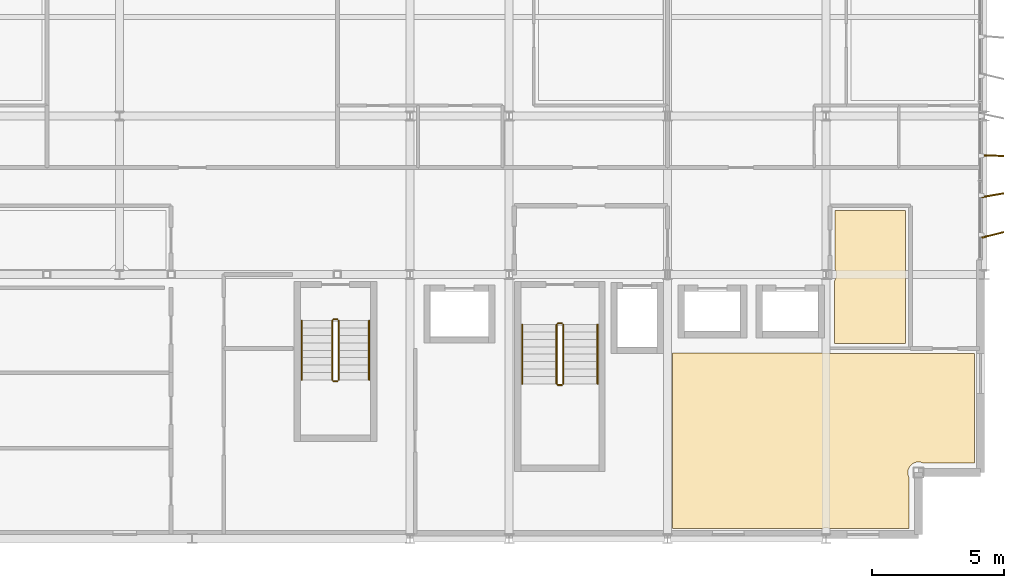
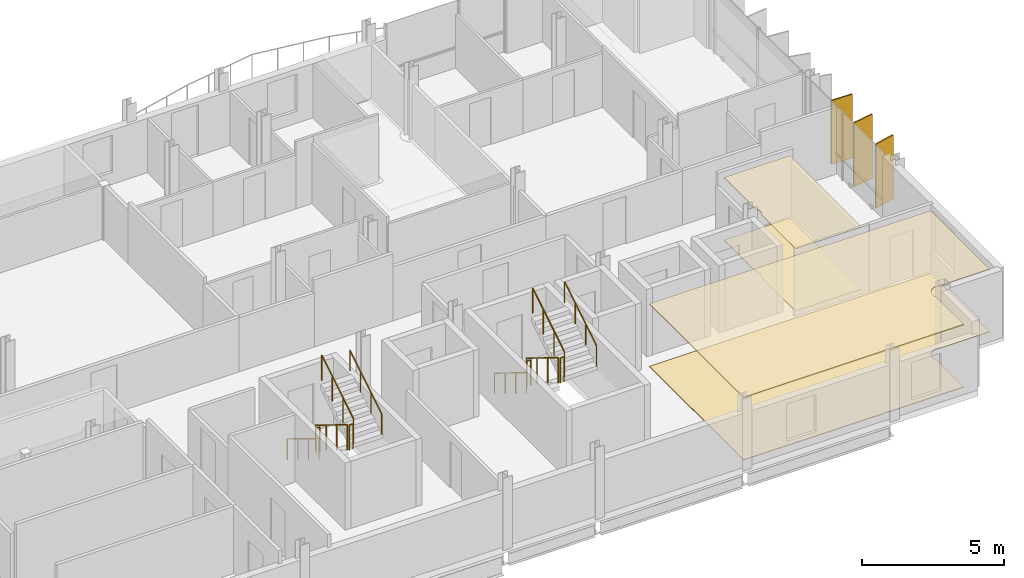
# One storey, part 34 of 35: 12 railings, 4 coverings, 3 shading devices.
"""IFC4 building model written with IfcOpenShell, lengths in metres."""

from ifc_helpers import new_model, si_unit, direction, frame, origin, origin_2d, place, context, subcontext, project, spatial, polyline, rectangle, circle, outline, extrude, material, layer, layer_set, type_object, element, save


model = new_model("IFC4")

# Units and contexts
model_context = context("Model", 3, precision=1e-05, world=origin(), true_north=direction((0.0, 1.0)))
body_context = subcontext(model_context, "Body", "Model", "MODEL_VIEW")
ifc_project = project(units=[si_unit("LENGTHUNIT", "METRE"), si_unit("AREAUNIT", "SQUARE_METRE"), si_unit("VOLUMEUNIT", "CUBIC_METRE"), si_unit("PLANEANGLEUNIT", "RADIAN"), si_unit("MASSUNIT", "GRAM", prefix="KILO")], contexts=[model_context])

# Site, building, storey
site_placement = place(None, origin())
site = spatial("IfcSite", under=ifc_project, at=site_placement, CompositionType="ELEMENT")
building_placement = place(site_placement, origin())
building = spatial("IfcBuilding", under=site, at=building_placement, Name="Brevholm Reach", CompositionType="ELEMENT")
storey_placement = place(building_placement, frame((0.0, 0.0, 218.0)))
storey = spatial("IfcBuildingStorey", under=building, at=storey_placement, Name="L66", CompositionType="ELEMENT", Elevation=218.0)

# Coverings
ifc_material_1 = material(Name="Perforated Mineral-Fibre Class-A Acoustic Suspended Ceiling", Category="gypsum")
ifc_layer_1 = layer(ifc_material_1, 0.044921875)
ifc_layer_set_1 = layer_set([ifc_layer_1], Name="Perforated Mineral-Fibre Class-A Acoustic Suspended Ceiling")
covering_type_1 = type_object("IfcCoveringType", Name="COV-CLG-AC", PredefinedType="CEILING", material=ifc_layer_set_1)
covering_1_placement = place(storey_placement, frame((0.0, 0.0, 2.675048828125)))
element("IfcCovering", 1, at=covering_1_placement, inside=storey, type_object=covering_type_1, Name="L66 Suspended Ceiling L66-38", PredefinedType="CEILING", context=body_context, shape_type="SweptSolid", body=[
    extrude(outline(polyline([(48.179931640625, 7.02001953125), (54.11279296875, 7.02001953125), (54.114990234375, 7.01953125), (54.13232421875, 7.016845703125), (54.14990234375, 7.01611328125), (59.6201171875, 7.01611328125), (59.6201171875, 2.860107421875), (57.67333984375, 2.860107421875), (57.653076171875, 2.86962890625), (57.6162109375, 2.8828125), (57.577880859375, 2.892333984375), (57.539306640625, 2.898193359375), (57.5, 2.89990234375), (57.460693359375, 2.898193359375), (57.422119140625, 2.892333984375), (57.3837890625, 2.8828125), (57.346923828125, 2.86962890625), (57.311279296875, 2.852783203125), (57.27783203125, 2.83251953125), (57.24609375, 2.80908203125), (57.21728515625, 2.78271484375), (57.19091796875, 2.75390625), (57.16748046875, 2.72216796875), (57.147216796875, 2.688720703125), (57.13037109375, 2.653076171875), (57.1171875, 2.6162109375), (57.107666015625, 2.577880859375), (57.101806640625, 2.539306640625), (57.10009765625, 2.5), (57.101806640625, 2.460693359375), (57.107666015625, 2.422119140625), (57.1171875, 2.3837890625), (57.13037109375, 2.346923828125), (57.139892578125, 2.32666015625), (57.139892578125, 0.3798828125), (54.123779296875, 0.3798828125), (54.1162109375, 0.3828125), (54.077880859375, 0.392333984375), (54.039306640625, 0.398193359375), (54.0, 0.39990234375), (53.960693359375, 0.398193359375), (53.922119140625, 0.392333984375), (53.8837890625, 0.3828125), (53.876220703125, 0.3798828125), (48.179931640625, 0.3798828125), (48.179931640625, 7.02001953125)])), origin(), (0.0, 0.0, 1.0), 0.044921875),
])
ifc_material_2 = material(Name="Moisture-Resistant Skimmed Gypsum Plasterboard Ceiling", Category="gypsum")
ifc_layer_2 = layer(ifc_material_2, 0.030029296875)
ifc_layer_set_2 = layer_set([ifc_layer_2], Name="Moisture-Resistant Skimmed Gypsum Plasterboard Ceiling")
covering_type_2 = type_object("IfcCoveringType", Name="COV-CLG-GYP", PredefinedType="CEILING", material=ifc_layer_set_2)
covering_2_placement = place(storey_placement, frame((0.0, 0.0, 2.68994140625)))
element("IfcCovering", 2, at=covering_2_placement, inside=storey, type_object=covering_type_2, Name="L66 Suspended Ceiling L66-20", PredefinedType="CEILING", context=body_context, shape_type="SweptSolid", body=[
    extrude(outline(polyline([(54.330078125, 9.7626953125), (54.33056640625, 9.764892578125), (54.33251953125, 9.777587890625), (54.33251953125, 9.77783203125), (54.352783203125, 9.811279296875), (54.36962890625, 9.846923828125), (54.3828125, 9.8837890625), (54.392333984375, 9.922119140625), (54.398193359375, 9.960693359375), (54.39990234375, 10.0), (54.398193359375, 10.039306640625), (54.392333984375, 10.077880859375), (54.3828125, 10.1162109375), (54.36962890625, 10.153076171875), (54.352783203125, 10.188720703125), (54.333984375, 10.219970703125), (54.333984375, 12.419921875), (57.02001953125, 12.419921875), (57.02001953125, 7.3798828125), (54.330078125, 7.3798828125), (54.330078125, 9.7626953125)])), origin(), (0.0, 0.0, 1.0), 0.030029296875),
])
ifc_material_3 = material(Name="Engineered European Oak Acoustic Plank Flooring", Category="timber")
ifc_layer_3 = layer(ifc_material_3, 0.02197265625)
ifc_layer_set_3 = layer_set([ifc_layer_3], Name="Engineered European Oak Acoustic Plank Flooring")
covering_type_3 = type_object("IfcCoveringType", Name="COV-FLR-OAK", PredefinedType="FLOORING", material=ifc_layer_set_3)
covering_3_placement = place(storey_placement, origin())
element("IfcCovering", 3, at=covering_3_placement, inside=storey, type_object=covering_type_3, Name="L66 Floor Finish L66-38", PredefinedType="FLOORING", context=body_context, shape_type="SweptSolid", body=[
    extrude(outline(polyline([(48.179931640625, 7.02001953125), (54.11279296875, 7.02001953125), (54.114990234375, 7.01953125), (54.13232421875, 7.016845703125), (54.14990234375, 7.01611328125), (59.6201171875, 7.01611328125), (59.6201171875, 2.860107421875), (57.67333984375, 2.860107421875), (57.653076171875, 2.86962890625), (57.6162109375, 2.8828125), (57.577880859375, 2.892333984375), (57.539306640625, 2.898193359375), (57.5, 2.89990234375), (57.460693359375, 2.898193359375), (57.422119140625, 2.892333984375), (57.3837890625, 2.8828125), (57.346923828125, 2.86962890625), (57.311279296875, 2.852783203125), (57.27783203125, 2.83251953125), (57.24609375, 2.80908203125), (57.21728515625, 2.78271484375), (57.19091796875, 2.75390625), (57.16748046875, 2.72216796875), (57.147216796875, 2.688720703125), (57.13037109375, 2.653076171875), (57.1171875, 2.6162109375), (57.107666015625, 2.577880859375), (57.101806640625, 2.539306640625), (57.10009765625, 2.5), (57.101806640625, 2.460693359375), (57.107666015625, 2.422119140625), (57.1171875, 2.3837890625), (57.13037109375, 2.346923828125), (57.139892578125, 2.32666015625), (57.139892578125, 0.3798828125), (54.123779296875, 0.3798828125), (54.1162109375, 0.3828125), (54.077880859375, 0.392333984375), (54.039306640625, 0.398193359375), (54.0, 0.39990234375), (53.960693359375, 0.398193359375), (53.922119140625, 0.392333984375), (53.8837890625, 0.3828125), (53.876220703125, 0.3798828125), (48.179931640625, 0.3798828125), (48.179931640625, 7.02001953125)])), origin(), (0.0, 0.0, 1.0), 0.02197265625),
])
ifc_material_4 = material(Name="Honed Portland-Aggregate Resin Terrazzo Flooring", Category="concrete")
ifc_layer_4 = layer(ifc_material_4, 0.031982421875)
ifc_layer_set_4 = layer_set([ifc_layer_4], Name="Honed Portland-Aggregate Resin Terrazzo Flooring")
covering_type_4 = type_object("IfcCoveringType", Name="COV-FLR-TRZ", PredefinedType="FLOORING", material=ifc_layer_set_4)
covering_4_placement = place(storey_placement, origin())
element("IfcCovering", 4, at=covering_4_placement, inside=storey, type_object=covering_type_4, Name="L66 Floor Finish L66-20", PredefinedType="FLOORING", context=body_context, shape_type="SweptSolid", body=[
    extrude(outline(polyline([(54.330078125, 9.7626953125), (54.33056640625, 9.764892578125), (54.33251953125, 9.777587890625), (54.33251953125, 9.77783203125), (54.352783203125, 9.811279296875), (54.36962890625, 9.846923828125), (54.3828125, 9.8837890625), (54.392333984375, 9.922119140625), (54.398193359375, 9.960693359375), (54.39990234375, 10.0), (54.398193359375, 10.039306640625), (54.392333984375, 10.077880859375), (54.3828125, 10.1162109375), (54.36962890625, 10.153076171875), (54.352783203125, 10.188720703125), (54.333984375, 10.219970703125), (54.333984375, 12.419921875), (57.02001953125, 12.419921875), (57.02001953125, 7.3798828125), (54.330078125, 7.3798828125), (54.330078125, 9.7626953125)])), origin(), (0.0, 0.0, 1.0), 0.031982421875),
])

# Railings
ifc_material_5 = material(Name="Brushed Stainless Steel EN 1.4401 Continuous Handrail", Category="steel")
railing_type_1 = type_object("IfcRailingType", Name="RAL-HND-950", PredefinedType="HANDRAIL", material=ifc_material_5)
railing_1_placement = place(storey_placement, frame((42.5, 8.10009765625, 0.172119140625)))
element("IfcRailing", 5, at=railing_1_placement, inside=storey, type_object=railing_type_1, Name="L66 ST-2 stair handrail 1", PredefinedType="HANDRAIL", context=body_context, shape_type="SweptSolid", body=[
    extrude(circle(Radius=0.02392578125, at=origin_2d()), frame((0.0, 0.0, 0.8857421875), z_axis=(0.0, -0.851747552033, 0.523952390591), x_axis=(1.0, 0.0, 0.0)), (0.0, 0.0, 1.0), 2.6298828125),
    extrude(circle(Radius=0.02099609375, at=origin_2d()), origin(), (0.0, 0.0, 1.0), 0.86181640625),
    extrude(circle(Radius=0.02099609375, at=origin_2d()), frame((0.0, -0.74658203125, 0.459228515625)), (0.0, 0.0, 1.0), 0.86181640625),
    extrude(circle(Radius=0.02099609375, at=origin_2d()), frame((0.0, -1.493408203125, 0.918701171875)), (0.0, 0.0, 1.0), 0.86181640625),
    extrude(circle(Radius=0.02099609375, at=origin_2d()), frame((0.0, -2.239990234375, 1.3779296875)), (0.0, 0.0, 1.0), 0.86181640625),
])
railing_2_placement = place(storey_placement, frame((45.35009765625, 5.860107421875, 1.72216796875)))
element("IfcRailing", 6, at=railing_2_placement, inside=storey, type_object=railing_type_1, Name="L66 ST-2 stair handrail 2", PredefinedType="HANDRAIL", context=body_context, shape_type="SweptSolid", body=[
    extrude(circle(Radius=0.02392578125, at=origin_2d()), frame((0.0, 0.0, 0.8857421875), z_axis=(0.0, 0.851747552033, 0.523952390591), x_axis=(-1.0, 0.0, 0.0)), (0.0, 0.0, 1.0), 2.6298828125),
    extrude(circle(Radius=0.02099609375, at=origin_2d()), origin(), (0.0, 0.0, 1.0), 0.86181640625),
    extrude(circle(Radius=0.02099609375, at=origin_2d()), frame((0.0, 0.74658203125, 0.459228515625)), (0.0, 0.0, 1.0), 0.86181640625),
    extrude(circle(Radius=0.02099609375, at=origin_2d()), frame((0.0, 1.493408203125, 0.918701171875)), (0.0, 0.0, 1.0), 0.86181640625),
    extrude(circle(Radius=0.02099609375, at=origin_2d()), frame((0.0, 2.239990234375, 1.3779296875)), (0.0, 0.0, 1.0), 0.86181640625),
])
railing_3_placement = place(storey_placement, frame((34.14990234375, 8.25, 0.172119140625)))
element("IfcRailing", 7, at=railing_3_placement, inside=storey, type_object=railing_type_1, Name="L66 ST-3 stair handrail 1", PredefinedType="HANDRAIL", context=body_context, shape_type="SweptSolid", body=[
    extrude(circle(Radius=0.02392578125, at=origin_2d()), frame((0.0, 0.0, 0.8857421875), z_axis=(0.0, -0.851747552033, 0.523952390591), x_axis=(1.0, 0.0, 0.0)), (0.0, 0.0, 1.0), 2.6298828125),
    extrude(circle(Radius=0.02099609375, at=origin_2d()), origin(), (0.0, 0.0, 1.0), 0.86181640625),
    extrude(circle(Radius=0.02099609375, at=origin_2d()), frame((0.0, -0.74658203125, 0.459228515625)), (0.0, 0.0, 1.0), 0.86181640625),
    extrude(circle(Radius=0.02099609375, at=origin_2d()), frame((0.0, -1.493408203125, 0.918701171875)), (0.0, 0.0, 1.0), 0.86181640625),
    extrude(circle(Radius=0.02099609375, at=origin_2d()), frame((0.0, -2.239990234375, 1.3779296875)), (0.0, 0.0, 1.0), 0.86181640625),
])
railing_4_placement = place(storey_placement, frame((36.699951171875, 6.010009765625, 1.72216796875)))
element("IfcRailing", 8, at=railing_4_placement, inside=storey, type_object=railing_type_1, Name="L66 ST-3 stair handrail 2", PredefinedType="HANDRAIL", context=body_context, shape_type="SweptSolid", body=[
    extrude(circle(Radius=0.02392578125, at=origin_2d()), frame((0.0, 0.0, 0.8857421875), z_axis=(0.0, 0.851747552033, 0.523952390591), x_axis=(-1.0, 0.0, 0.0)), (0.0, 0.0, 1.0), 2.6298828125),
    extrude(circle(Radius=0.02099609375, at=origin_2d()), origin(), (0.0, 0.0, 1.0), 0.86181640625),
    extrude(circle(Radius=0.02099609375, at=origin_2d()), frame((0.0, 0.74658203125, 0.459228515625)), (0.0, 0.0, 1.0), 0.86181640625),
    extrude(circle(Radius=0.02099609375, at=origin_2d()), frame((0.0, 1.493408203125, 0.918701171875)), (0.0, 0.0, 1.0), 0.86181640625),
    extrude(circle(Radius=0.02099609375, at=origin_2d()), frame((0.0, 2.239990234375, 1.3779296875)), (0.0, 0.0, 1.0), 0.86181640625),
])
ifc_material_6 = material(Name="Painted Tubular Galvanised Steel S275JR Stair Guard", Category="steel")
railing_type_2 = type_object("IfcRailingType", Name="RAL-STG-1120", PredefinedType="BALUSTRADE", material=ifc_material_6)
railing_5_placement = place(storey_placement, frame((43.800048828125, 8.10009765625, 0.172119140625)))
element("IfcRailing", 9, at=railing_5_placement, inside=storey, type_object=railing_type_2, Name="L66 ST-2 stair guard 1", PredefinedType="BALUSTRADE", context=body_context, shape_type="SweptSolid", body=[
    extrude(circle(Radius=0.02392578125, at=origin_2d()), frame((0.0, 0.0, 1.076171875), z_axis=(0.0, -0.851747552033, 0.523952390591), x_axis=(1.0, 0.0, 0.0)), (0.0, 0.0, 1.0), 2.6298828125),
    extrude(circle(Radius=0.02099609375, at=origin_2d()), origin(), (0.0, 0.0, 1.0), 1.052001953125),
    extrude(circle(Radius=0.02099609375, at=origin_2d()), frame((0.0, -0.74658203125, 0.459228515625)), (0.0, 0.0, 1.0), 1.052001953125),
    extrude(circle(Radius=0.02099609375, at=origin_2d()), frame((0.0, -1.493408203125, 0.918701171875)), (0.0, 0.0, 1.0), 1.052001953125),
    extrude(circle(Radius=0.02099609375, at=origin_2d()), frame((0.0, -2.239990234375, 1.3779296875)), (0.0, 0.0, 1.0), 1.052001953125),
])
railing_6_placement = place(storey_placement, frame((43.85009765625, 5.81005859375, 1.550048828125)))
element("IfcRailing", 10, at=railing_6_placement, inside=storey, type_object=railing_type_2, Name="L66 ST-2 stair guard 2", PredefinedType="BALUSTRADE", context=body_context, shape_type="SweptSolid", body=[
    extrude(circle(Radius=0.02392578125, at=origin_2d()), frame((0.0, 0.0, 1.076171875), z_axis=(1.0, 0.0, 0.0), x_axis=(0.0, 1.0, 0.0)), (0.0, 0.0, 1.0), 0.14990234375),
    extrude(circle(Radius=0.02099609375, at=origin_2d()), origin(), (0.0, 0.0, 1.0), 1.052001953125),
    extrude(circle(Radius=0.02099609375, at=origin_2d()), frame((0.14990234375, 0.0, 0.0)), (0.0, 0.0, 1.0), 1.052001953125),
])
railing_7_placement = place(storey_placement, frame((44.050048828125, 5.860107421875, 1.72216796875)))
element("IfcRailing", 11, at=railing_7_placement, inside=storey, type_object=railing_type_2, Name="L66 ST-2 stair guard 3", PredefinedType="BALUSTRADE", context=body_context, shape_type="SweptSolid", body=[
    extrude(circle(Radius=0.02392578125, at=origin_2d()), frame((0.0, 0.0, 1.076171875), z_axis=(0.0, 0.851747552033, 0.523952390591), x_axis=(-1.0, 0.0, 0.0)), (0.0, 0.0, 1.0), 2.6298828125),
    extrude(circle(Radius=0.02099609375, at=origin_2d()), origin(), (0.0, 0.0, 1.0), 1.052001953125),
    extrude(circle(Radius=0.02099609375, at=origin_2d()), frame((0.0, 0.74658203125, 0.459228515625)), (0.0, 0.0, 1.0), 1.052001953125),
    extrude(circle(Radius=0.02099609375, at=origin_2d()), frame((0.0, 1.493408203125, 0.918701171875)), (0.0, 0.0, 1.0), 1.052001953125),
    extrude(circle(Radius=0.02099609375, at=origin_2d()), frame((0.0, 2.239990234375, 1.3779296875)), (0.0, 0.0, 1.0), 1.052001953125),
])
railing_8_placement = place(storey_placement, frame((43.85009765625, 8.14990234375, 0.0)))
element("IfcRailing", 12, at=railing_8_placement, inside=storey, type_object=railing_type_2, Name="L66 ST-2 stair guard 4", PredefinedType="BALUSTRADE", context=body_context, shape_type="SweptSolid", body=[
    extrude(circle(Radius=0.02392578125, at=origin_2d()), frame((0.0, 0.0, 1.076171875), z_axis=(1.0, 0.0, 0.0), x_axis=(0.0, 1.0, 0.0)), (0.0, 0.0, 1.0), 0.14990234375),
    extrude(circle(Radius=0.02099609375, at=origin_2d()), origin(), (0.0, 0.0, 1.0), 1.052001953125),
    extrude(circle(Radius=0.02099609375, at=origin_2d()), frame((0.14990234375, 0.0, 0.0)), (0.0, 0.0, 1.0), 1.052001953125),
])
railing_9_placement = place(storey_placement, frame((35.300048828125, 8.25, 0.172119140625)))
element("IfcRailing", 13, at=railing_9_placement, inside=storey, type_object=railing_type_2, Name="L66 ST-3 stair guard 1", PredefinedType="BALUSTRADE", context=body_context, shape_type="SweptSolid", body=[
    extrude(circle(Radius=0.02392578125, at=origin_2d()), frame((0.0, 0.0, 1.076171875), z_axis=(0.0, -0.851747552033, 0.523952390591), x_axis=(1.0, 0.0, 0.0)), (0.0, 0.0, 1.0), 2.6298828125),
    extrude(circle(Radius=0.02099609375, at=origin_2d()), origin(), (0.0, 0.0, 1.0), 1.052001953125),
    extrude(circle(Radius=0.02099609375, at=origin_2d()), frame((0.0, -0.74658203125, 0.459228515625)), (0.0, 0.0, 1.0), 1.052001953125),
    extrude(circle(Radius=0.02099609375, at=origin_2d()), frame((0.0, -1.493408203125, 0.918701171875)), (0.0, 0.0, 1.0), 1.052001953125),
    extrude(circle(Radius=0.02099609375, at=origin_2d()), frame((0.0, -2.239990234375, 1.3779296875)), (0.0, 0.0, 1.0), 1.052001953125),
])
railing_10_placement = place(storey_placement, frame((35.35009765625, 5.9599609375, 1.550048828125)))
element("IfcRailing", 14, at=railing_10_placement, inside=storey, type_object=railing_type_2, Name="L66 ST-3 stair guard 2", PredefinedType="BALUSTRADE", context=body_context, shape_type="SweptSolid", body=[
    extrude(circle(Radius=0.02392578125, at=origin_2d()), frame((0.0, 0.0, 1.076171875), z_axis=(1.0, 0.0, 0.0), x_axis=(0.0, 1.0, 0.0)), (0.0, 0.0, 1.0), 0.14990234375),
    extrude(circle(Radius=0.02099609375, at=origin_2d()), origin(), (0.0, 0.0, 1.0), 1.052001953125),
    extrude(circle(Radius=0.02099609375, at=origin_2d()), frame((0.14990234375, 0.0, 0.0)), (0.0, 0.0, 1.0), 1.052001953125),
])
railing_11_placement = place(storey_placement, frame((35.550048828125, 6.010009765625, 1.72216796875)))
element("IfcRailing", 15, at=railing_11_placement, inside=storey, type_object=railing_type_2, Name="L66 ST-3 stair guard 3", PredefinedType="BALUSTRADE", context=body_context, shape_type="SweptSolid", body=[
    extrude(circle(Radius=0.02392578125, at=origin_2d()), frame((0.0, 0.0, 1.076171875), z_axis=(0.0, 0.851747552033, 0.523952390591), x_axis=(-1.0, 0.0, 0.0)), (0.0, 0.0, 1.0), 2.6298828125),
    extrude(circle(Radius=0.02099609375, at=origin_2d()), origin(), (0.0, 0.0, 1.0), 1.052001953125),
    extrude(circle(Radius=0.02099609375, at=origin_2d()), frame((0.0, 0.74658203125, 0.459228515625)), (0.0, 0.0, 1.0), 1.052001953125),
    extrude(circle(Radius=0.02099609375, at=origin_2d()), frame((0.0, 1.493408203125, 0.918701171875)), (0.0, 0.0, 1.0), 1.052001953125),
    extrude(circle(Radius=0.02099609375, at=origin_2d()), frame((0.0, 2.239990234375, 1.3779296875)), (0.0, 0.0, 1.0), 1.052001953125),
])
railing_12_placement = place(storey_placement, frame((35.35009765625, 8.300048828125, 0.0)))
element("IfcRailing", 16, at=railing_12_placement, inside=storey, type_object=railing_type_2, Name="L66 ST-3 stair guard 4", PredefinedType="BALUSTRADE", context=body_context, shape_type="SweptSolid", body=[
    extrude(circle(Radius=0.02392578125, at=origin_2d()), frame((0.0, 0.0, 1.076171875), z_axis=(1.0, 0.0, 0.0), x_axis=(0.0, 1.0, 0.0)), (0.0, 0.0, 1.0), 0.14990234375),
    extrude(circle(Radius=0.02099609375, at=origin_2d()), origin(), (0.0, 0.0, 1.0), 1.052001953125),
    extrude(circle(Radius=0.02099609375, at=origin_2d()), frame((0.14990234375, 0.0, 0.0)), (0.0, 0.0, 1.0), 1.052001953125),
])

# Shading devices
ifc_material_7 = material(Name="Perforated Champagne-Bronze Anodised Aluminium", Category="aluminium")
ifc_layer_5 = layer(ifc_material_7, 0.054931640625)
ifc_layer_set_5 = layer_set([ifc_layer_5], Name="Perforated Champagne-Bronze Anodised Aluminium")
shading_device_type = type_object("IfcShadingDeviceType", Name="SHD-FIN-850", PredefinedType="USERDEFINED", material=ifc_layer_set_5)
for number, where, z_axis, x_axis, name in (
    (17, (60.31494140625, 11.5, 0.070068359375), (0.0, 0.0, 1.0), (0.970666147045, 0.240431343591, 0.0), "L66 Perforated Solar Screen Fin 1"),
    (18, (60.31494140625, 13.0, 0.070068359375), (0.0, 0.0, 1.0), (0.985118326991, 0.17187751984, 0.0), "L66 Perforated Solar Screen Fin 2"),
    (19, (60.31494140625, 14.5, 0.070068359375), (0.0, 0.0, 1.0), (0.999624119409, -0.027415687024, 0.0), "L66 Perforated Solar Screen Fin 3"),
):
    element("IfcShadingDevice", number, at=place(storey_placement, frame(where, z_axis=z_axis, x_axis=x_axis)), inside=storey, type_object=shading_device_type, Name=name, ObjectType="SCREEN", PredefinedType="USERDEFINED", context=body_context, shape_type="SweptSolid", body=[
        extrude(rectangle(XDim=0.85009765625, YDim=0.054931640625, at=origin_2d()), origin(), (0.0, 0.0, 1.0), 2.75),
    ])

save(model, "model.ifc")
